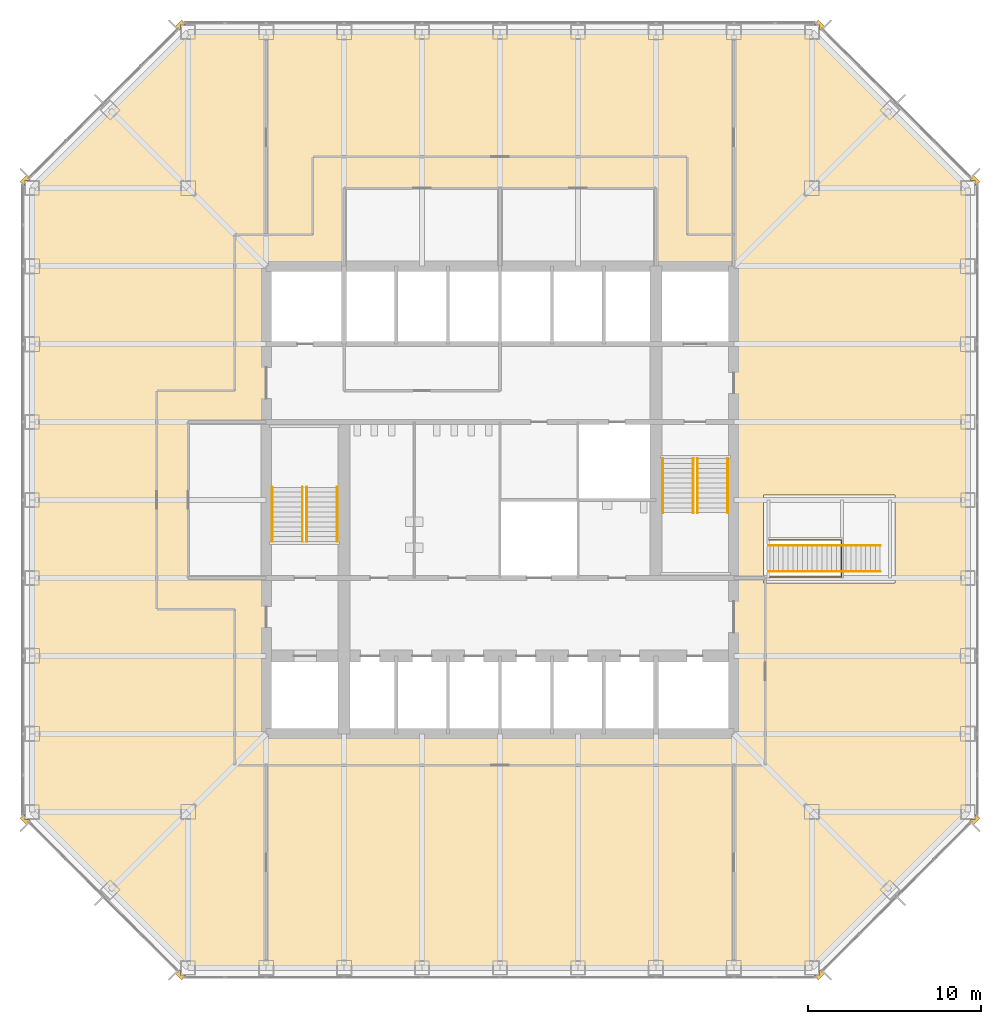
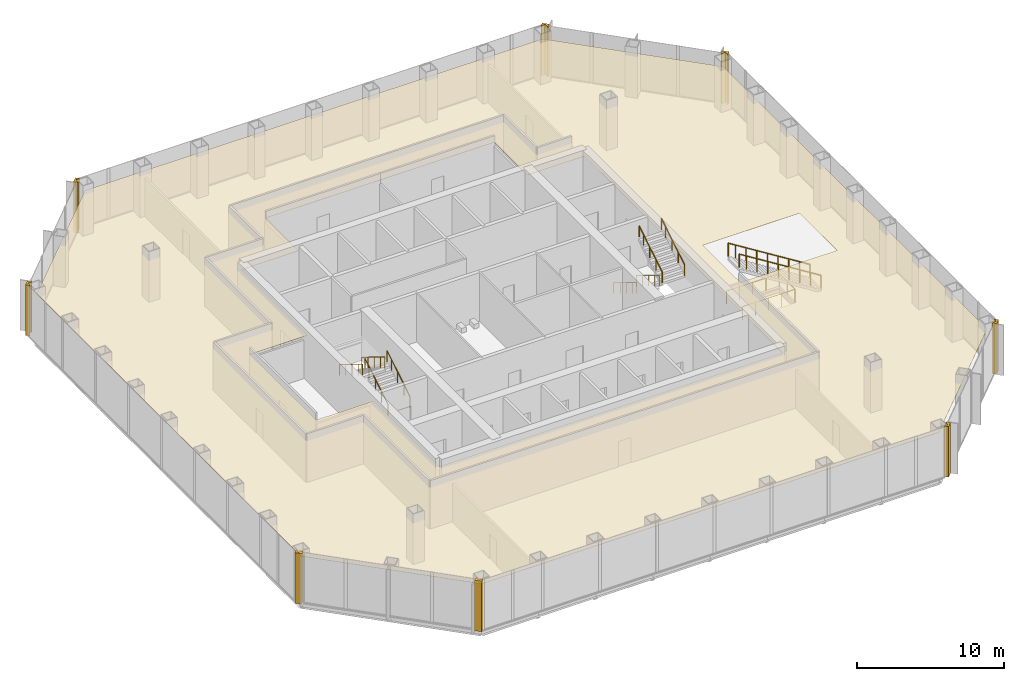
# One storey, part 11 of 12: 11 railings, 9 coverings.
"""IFC4 building model written with IfcOpenShell, lengths in metres."""

from ifc_helpers import new_model, si_unit, direction, frame, origin, origin_2d, place, context, subcontext, project, spatial, polyline, circle, outline, extrude, material, layer, layer_set, type_object, element, save


model = new_model("IFC4")

# Units and contexts
model_context = context("Model", 3, precision=1e-05, world=origin(), true_north=direction((0.0, 1.0)))
body_context = subcontext(model_context, "Body", "Model", "MODEL_VIEW")
ifc_project = project(units=[si_unit("LENGTHUNIT", "METRE"), si_unit("AREAUNIT", "SQUARE_METRE"), si_unit("VOLUMEUNIT", "CUBIC_METRE"), si_unit("PLANEANGLEUNIT", "RADIAN"), si_unit("MASSUNIT", "GRAM", prefix="KILO")], contexts=[model_context])

# Site, building, storey
site_placement = place(None, origin())
site = spatial("IfcSite", under=ifc_project, at=site_placement, CompositionType="ELEMENT")
building_placement = place(site_placement, origin())
building = spatial("IfcBuilding", under=site, at=building_placement, Name="Corais Broadcast Tower", CompositionType="ELEMENT")
storey_placement = place(building_placement, frame((0.0, 0.0, 33.199951171875)))
storey = spatial("IfcBuildingStorey", under=building, at=storey_placement, Name="L06", CompositionType="ELEMENT", Elevation=33.199951171875)

# Railings
ifc_material_1 = material(Name="Laminated glass and stainless steel guard", Category="steel")
railing_type_1 = type_object("IfcRailingType", Name="Glass guard 1100", PredefinedType="GUARDRAIL", material=ifc_material_1)
railing_placement = place(storey_placement, frame((42.550048828125, 22.550048828125, 0.0)))
element("IfcRailing", 1, at=railing_placement, inside=storey, type_object=railing_type_1, Name="GR1 guard L06", PredefinedType="GUARDRAIL", context=body_context, shape_type="SweptSolid", body=[
    extrude(circle(Radius=0.02392578125, at=origin_2d()), frame((0.0, 0.0, 1.076171875), z_axis=(1.0, 0.0, 0.0), x_axis=(0.0, 1.0, 0.0)), (0.0, 0.0, 1.0), 4.14990234375),
    extrude(circle(Radius=0.02392578125, at=origin_2d()), frame((4.14990234375, 0.0, 1.076171875), z_axis=(0.0, 1.0, 0.0), x_axis=(-1.0, 0.0, 0.0)), (0.0, 0.0, 1.0), 2.14990234375),
    extrude(circle(Radius=0.02392578125, at=origin_2d()), frame((4.14990234375, 2.14990234375, 1.076171875), z_axis=(-1.0, 0.0, 0.0), x_axis=(0.0, -1.0, 0.0)), (0.0, 0.0, 1.0), 4.14990234375),
    extrude(circle(Radius=0.02099609375, at=origin_2d()), origin(), (0.0, 0.0, 1.0), 1.052001953125),
    extrude(circle(Radius=0.02099609375, at=origin_2d()), frame((1.03759765625, 0.0, 0.0)), (0.0, 0.0, 1.0), 1.052001953125),
    extrude(circle(Radius=0.02099609375, at=origin_2d()), frame((2.074951171875, 0.0, 0.0)), (0.0, 0.0, 1.0), 1.052001953125),
    extrude(circle(Radius=0.02099609375, at=origin_2d()), frame((3.1123046875, 0.0, 0.0)), (0.0, 0.0, 1.0), 1.052001953125),
    extrude(circle(Radius=0.02099609375, at=origin_2d()), frame((4.14990234375, 0.0, 0.0)), (0.0, 0.0, 1.0), 1.052001953125),
    extrude(circle(Radius=0.02099609375, at=origin_2d()), frame((4.14990234375, 1.074951171875, 0.0)), (0.0, 0.0, 1.0), 1.052001953125),
    extrude(circle(Radius=0.02099609375, at=origin_2d()), frame((4.14990234375, 2.14990234375, 0.0)), (0.0, 0.0, 1.0), 1.052001953125),
    extrude(circle(Radius=0.02099609375, at=origin_2d()), frame((3.1123046875, 2.14990234375, 0.0)), (0.0, 0.0, 1.0), 1.052001953125),
    extrude(circle(Radius=0.02099609375, at=origin_2d()), frame((2.074951171875, 2.14990234375, 0.0)), (0.0, 0.0, 1.0), 1.052001953125),
    extrude(circle(Radius=0.02099609375, at=origin_2d()), frame((1.03759765625, 2.14990234375, 0.0)), (0.0, 0.0, 1.0), 1.052001953125),
    extrude(circle(Radius=0.02099609375, at=origin_2d()), frame((0.0, 2.14990234375, 0.0)), (0.0, 0.0, 1.0), 1.052001953125),
])
for number, where, name in (
    (2, (48.93994140625, 24.375, 0.175048828125), "GR1 L06"),
    (3, (48.93994140625, 22.875, 0.175048828125), "GR1 L06"),
):
    element("IfcRailing", number, at=place(storey_placement, frame(where)), inside=storey, type_object=railing_type_1, Name=name, PredefinedType="GUARDRAIL", context=body_context, shape_type="SweptSolid", body=[
        extrude(circle(Radius=0.02392578125, at=origin_2d()), frame((0.0, 0.0, 1.076171875), z_axis=(-0.848001916129, 0.0, 0.529993160562), x_axis=(0.0, -1.0, 0.0)), (0.0, 0.0, 1.0), 7.59423828125),
        extrude(circle(Radius=0.02099609375, at=origin_2d()), origin(), (0.0, 0.0, 1.0), 1.052001953125),
        extrude(circle(Radius=0.02099609375, at=origin_2d()), frame((-0.840087890625, 0.0, 0.52490234375)), (0.0, 0.0, 1.0), 1.052001953125),
        extrude(circle(Radius=0.02099609375, at=origin_2d()), frame((-1.679931640625, 0.0, 1.050048828125)), (0.0, 0.0, 1.0), 1.052001953125),
        extrude(circle(Radius=0.02099609375, at=origin_2d()), frame((-2.52001953125, 0.0, 1.574951171875)), (0.0, 0.0, 1.0), 1.052001953125),
        extrude(circle(Radius=0.02099609375, at=origin_2d()), frame((-3.35986328125, 0.0, 2.099853515625)), (0.0, 0.0, 1.0), 1.052001953125),
        extrude(circle(Radius=0.02099609375, at=origin_2d()), frame((-4.199951171875, 0.0, 2.625)), (0.0, 0.0, 1.0), 1.052001953125),
        extrude(circle(Radius=0.02099609375, at=origin_2d()), frame((-5.0400390625, 0.0, 3.14990234375)), (0.0, 0.0, 1.0), 1.052001953125),
        extrude(circle(Radius=0.02099609375, at=origin_2d()), frame((-5.8798828125, 0.0, 3.6748046875)), (0.0, 0.0, 1.0), 1.052001953125),
        extrude(circle(Radius=0.02099609375, at=origin_2d()), frame((-6.43994140625, 0.0, 4.02490234375)), (0.0, 0.0, 1.0), 1.052001953125),
    ])
ifc_material_2 = material(Name="Stainless steel handrail", Category="steel")
railing_type_2 = type_object("IfcRailingType", Name="Handrail 920", PredefinedType="HANDRAIL", material=ifc_material_2)
for number, where, name in (
    (4, (17.60009765625, 24.60009765625, 0.175048828125), "HR1 L06"),
    (5, (15.85009765625, 24.60009765625, 0.175048828125), "HR1 L06"),
):
    element("IfcRailing", number, at=place(storey_placement, frame(where)), inside=storey, type_object=railing_type_2, Name=name, PredefinedType="HANDRAIL", context=body_context, shape_type="SweptSolid", body=[
        extrude(circle(Radius=0.02392578125, at=origin_2d()), frame((0.0, 0.0, 0.89599609375), z_axis=(0.0, 0.852166034122, 0.523271488128), x_axis=(-1.0, 0.0, 0.0)), (0.0, 0.0, 1.0), 3.678955078125),
        extrude(circle(Radius=0.02099609375, at=origin_2d()), origin(), (0.0, 0.0, 1.0), 0.871826171875),
        extrude(circle(Radius=0.02099609375, at=origin_2d()), frame((0.0, 0.85498046875, 0.52490234375)), (0.0, 0.0, 1.0), 0.871826171875),
        extrude(circle(Radius=0.02099609375, at=origin_2d()), frame((0.0, 1.7099609375, 1.050048828125)), (0.0, 0.0, 1.0), 0.871826171875),
        extrude(circle(Radius=0.02099609375, at=origin_2d()), frame((0.0, 2.56494140625, 1.574951171875)), (0.0, 0.0, 1.0), 0.871826171875),
        extrude(circle(Radius=0.02099609375, at=origin_2d()), frame((0.0, 3.135009765625, 1.925048828125)), (0.0, 0.0, 1.0), 0.871826171875),
    ])
for number, where, name in (
    (6, (13.85009765625, 27.735107421875, 2.275146484375), "HR1 L06"),
    (7, (15.60009765625, 27.735107421875, 2.275146484375), "HR1 L06"),
):
    element("IfcRailing", number, at=place(storey_placement, frame(where)), inside=storey, type_object=railing_type_2, Name=name, PredefinedType="HANDRAIL", context=body_context, shape_type="SweptSolid", body=[
        extrude(circle(Radius=0.02392578125, at=origin_2d()), frame((0.0, 0.0, 0.89599609375), z_axis=(0.0, -0.852195625947, 0.523223293744), x_axis=(1.0, 0.0, 0.0)), (0.0, 0.0, 1.0), 3.6787109375),
        extrude(circle(Radius=0.02099609375, at=origin_2d()), origin(), (0.0, 0.0, 1.0), 0.871826171875),
        extrude(circle(Radius=0.02099609375, at=origin_2d()), frame((0.0, -0.85498046875, 0.52490234375)), (0.0, 0.0, 1.0), 0.871826171875),
        extrude(circle(Radius=0.02099609375, at=origin_2d()), frame((0.0, -1.7099609375, 1.0498046875)), (0.0, 0.0, 1.0), 0.871826171875),
        extrude(circle(Radius=0.02099609375, at=origin_2d()), frame((0.0, -2.56494140625, 1.574951171875)), (0.0, 0.0, 1.0), 0.871826171875),
        extrude(circle(Radius=0.02099609375, at=origin_2d()), frame((0.0, -3.135009765625, 1.9248046875)), (0.0, 0.0, 1.0), 0.871826171875),
    ])
for number, where, name in (
    (8, (36.39990234375, 29.39990234375, 0.175048828125), "HR1 L06"),
    (9, (38.14990234375, 29.39990234375, 0.175048828125), "HR1 L06"),
):
    element("IfcRailing", number, at=place(storey_placement, frame(where)), inside=storey, type_object=railing_type_2, Name=name, PredefinedType="HANDRAIL", context=body_context, shape_type="SweptSolid", body=[
        extrude(circle(Radius=0.02392578125, at=origin_2d()), frame((0.0, 0.0, 0.89599609375), z_axis=(0.0, -0.852166034122, 0.523271488128), x_axis=(1.0, 0.0, 0.0)), (0.0, 0.0, 1.0), 3.678955078125),
        extrude(circle(Radius=0.02099609375, at=origin_2d()), origin(), (0.0, 0.0, 1.0), 0.871826171875),
        extrude(circle(Radius=0.02099609375, at=origin_2d()), frame((0.0, -0.85498046875, 0.52490234375)), (0.0, 0.0, 1.0), 0.871826171875),
        extrude(circle(Radius=0.02099609375, at=origin_2d()), frame((0.0, -1.7099609375, 1.050048828125)), (0.0, 0.0, 1.0), 0.871826171875),
        extrude(circle(Radius=0.02099609375, at=origin_2d()), frame((0.0, -2.56494140625, 1.574951171875)), (0.0, 0.0, 1.0), 0.871826171875),
        extrude(circle(Radius=0.02099609375, at=origin_2d()), frame((0.0, -3.135009765625, 1.925048828125)), (0.0, 0.0, 1.0), 0.871826171875),
    ])
for number, where, name in (
    (10, (40.14990234375, 26.264892578125, 2.275146484375), "HR1 L06"),
    (11, (38.39990234375, 26.264892578125, 2.275146484375), "HR1 L06"),
):
    element("IfcRailing", number, at=place(storey_placement, frame(where)), inside=storey, type_object=railing_type_2, Name=name, PredefinedType="HANDRAIL", context=body_context, shape_type="SweptSolid", body=[
        extrude(circle(Radius=0.02392578125, at=origin_2d()), frame((0.0, 0.0, 0.89599609375), z_axis=(0.0, 0.852195625947, 0.523223293744), x_axis=(-1.0, 0.0, 0.0)), (0.0, 0.0, 1.0), 3.6787109375),
        extrude(circle(Radius=0.02099609375, at=origin_2d()), origin(), (0.0, 0.0, 1.0), 0.871826171875),
        extrude(circle(Radius=0.02099609375, at=origin_2d()), frame((0.0, 0.85498046875, 0.52490234375)), (0.0, 0.0, 1.0), 0.871826171875),
        extrude(circle(Radius=0.02099609375, at=origin_2d()), frame((0.0, 1.7099609375, 1.0498046875)), (0.0, 0.0, 1.0), 0.871826171875),
        extrude(circle(Radius=0.02099609375, at=origin_2d()), frame((0.0, 2.56494140625, 1.574951171875)), (0.0, 0.0, 1.0), 0.871826171875),
        extrude(circle(Radius=0.02099609375, at=origin_2d()), frame((0.0, 3.135009765625, 1.9248046875)), (0.0, 0.0, 1.0), 0.871826171875),
    ])

# Coverings
ifc_material_3 = material(Name="Granite stone cladding", Category="masonry")
ifc_layer_1 = layer(ifc_material_3, 0.324951171875)
ifc_layer_set_1 = layer_set([ifc_layer_1], Name="Granite stone cladding")
covering_type_1 = type_object("IfcCoveringType", Name="Stone corner pier cladding 500x325", PredefinedType="CLADDING", material=ifc_layer_set_1)
covering_1_placement = place(storey_placement, origin())
element("IfcCovering", 12, at=covering_1_placement, inside=storey, type_object=covering_type_1, Name="SP1 stone corner pier L06", PredefinedType="CLADDING", context=body_context, shape_type="SweptSolid", body=[
    extrude(outline(polyline([(8.860595703125, -0.461669921875), (8.84912109375, -0.449951171875), (8.550048828125, -0.449951171875), (8.550048828125, -0.15087890625), (8.507080078125, -0.108154296875), (8.277099609375, -0.337890625), (8.630859375, -0.69140625), (8.860595703125, -0.461669921875)])), origin(), (0.0, 0.0, 1.0), 4.199951171875),
])
covering_2_placement = place(storey_placement, origin())
element("IfcCovering", 13, at=covering_2_placement, inside=storey, type_object=covering_type_1, Name="SP1 stone corner pier L06", PredefinedType="CLADDING", context=body_context, shape_type="SweptSolid", body=[
    extrude(outline(polyline([(-0.449951171875, 8.84912109375), (-0.461669921875, 8.860595703125), (-0.69140625, 8.630859375), (-0.337890625, 8.277099609375), (-0.108154296875, 8.507080078125), (-0.15087890625, 8.550048828125), (-0.449951171875, 8.550048828125), (-0.449951171875, 8.84912109375)])), origin(), (0.0, 0.0, 1.0), 4.199951171875),
])
covering_3_placement = place(storey_placement, origin())
element("IfcCovering", 14, at=covering_3_placement, inside=storey, type_object=covering_type_1, Name="SP1 stone corner pier L06", PredefinedType="CLADDING", context=body_context, shape_type="SweptSolid", body=[
    extrude(outline(polyline([(-0.461669921875, 45.139404296875), (-0.449951171875, 45.15087890625), (-0.449951171875, 45.449951171875), (-0.15087890625, 45.449951171875), (-0.108154296875, 45.492919921875), (-0.337890625, 45.722900390625), (-0.69140625, 45.369140625), (-0.461669921875, 45.139404296875)])), origin(), (0.0, 0.0, 1.0), 4.199951171875),
])
covering_4_placement = place(storey_placement, origin())
element("IfcCovering", 15, at=covering_4_placement, inside=storey, type_object=covering_type_1, Name="SP1 stone corner pier L06", PredefinedType="CLADDING", context=body_context, shape_type="SweptSolid", body=[
    extrude(outline(polyline([(8.84912109375, 54.449951171875), (8.860595703125, 54.461669921875), (8.630859375, 54.69140625), (8.277099609375, 54.337890625), (8.507080078125, 54.108154296875), (8.550048828125, 54.15087890625), (8.550048828125, 54.449951171875), (8.84912109375, 54.449951171875)])), origin(), (0.0, 0.0, 1.0), 4.199951171875),
])
covering_5_placement = place(storey_placement, origin())
element("IfcCovering", 16, at=covering_5_placement, inside=storey, type_object=covering_type_1, Name="SP1 stone corner pier L06", PredefinedType="CLADDING", context=body_context, shape_type="SweptSolid", body=[
    extrude(outline(polyline([(45.139404296875, 54.461669921875), (45.15087890625, 54.449951171875), (45.449951171875, 54.449951171875), (45.449951171875, 54.15087890625), (45.492919921875, 54.108154296875), (45.722900390625, 54.337890625), (45.369140625, 54.69140625), (45.139404296875, 54.461669921875)])), origin(), (0.0, 0.0, 1.0), 4.199951171875),
])
covering_6_placement = place(storey_placement, origin())
element("IfcCovering", 17, at=covering_6_placement, inside=storey, type_object=covering_type_1, Name="SP1 stone corner pier L06", PredefinedType="CLADDING", context=body_context, shape_type="SweptSolid", body=[
    extrude(outline(polyline([(54.449951171875, 45.15087890625), (54.461669921875, 45.139404296875), (54.69140625, 45.369140625), (54.337890625, 45.722900390625), (54.108154296875, 45.492919921875), (54.15087890625, 45.449951171875), (54.449951171875, 45.449951171875), (54.449951171875, 45.15087890625)])), origin(), (0.0, 0.0, 1.0), 4.199951171875),
])
covering_7_placement = place(storey_placement, origin())
element("IfcCovering", 18, at=covering_7_placement, inside=storey, type_object=covering_type_1, Name="SP1 stone corner pier L06", PredefinedType="CLADDING", context=body_context, shape_type="SweptSolid", body=[
    extrude(outline(polyline([(54.461669921875, 8.860595703125), (54.449951171875, 8.84912109375), (54.449951171875, 8.550048828125), (54.15087890625, 8.550048828125), (54.108154296875, 8.507080078125), (54.337890625, 8.277099609375), (54.69140625, 8.630859375), (54.461669921875, 8.860595703125)])), origin(), (0.0, 0.0, 1.0), 4.199951171875),
])
covering_8_placement = place(storey_placement, origin())
element("IfcCovering", 19, at=covering_8_placement, inside=storey, type_object=covering_type_1, Name="SP1 stone corner pier L06", PredefinedType="CLADDING", context=body_context, shape_type="SweptSolid", body=[
    extrude(outline(polyline([(45.15087890625, -0.449951171875), (45.139404296875, -0.461669921875), (45.369140625, -0.69140625), (45.722900390625, -0.337890625), (45.492919921875, -0.108154296875), (45.449951171875, -0.15087890625), (45.449951171875, -0.449951171875), (45.15087890625, -0.449951171875)])), origin(), (0.0, 0.0, 1.0), 4.199951171875),
])
ifc_material_4 = material(Name="Mineral fibre ceiling tile", Category="mineral")
ifc_layer_2 = layer(ifc_material_4, 0.02001953125)
ifc_layer_set_2 = layer_set([ifc_layer_2], Name="Mineral fibre ceiling tile")
covering_type_2 = type_object("IfcCoveringType", Name="Suspended ceiling", PredefinedType="CEILING", material=ifc_layer_set_2)
covering_9_placement = place(storey_placement, frame((0.0, 0.0, 3.420166015625)))
element("IfcCovering", 20, at=covering_9_placement, inside=storey, type_object=covering_type_2, Name="CE1 ceiling L06", PredefinedType="CEILING", context=body_context, shape_type="SweptSolid", body=[
    extrude(outline(polyline([(0.0, 9.0), (0.0, 45.0), (9.0, 54.0), (45.0, 54.0), (54.0, 45.0), (54.0, 9.0), (45.0, 0.0), (9.0, 0.0), (0.0, 9.0)]), holes=[polyline([(36.0, 40.5), (36.0, 45.0), (18.0, 45.0), (18.0, 40.5), (13.5, 40.5), (13.5, 31.5), (9.0, 31.5), (9.0, 22.5), (13.5, 22.5), (13.5, 13.5), (40.5, 13.5), (40.5, 40.5), (36.0, 40.5)]), polyline([(49.800048828125, 27.300048828125), (42.199951171875, 27.300048828125), (42.199951171875, 22.199951171875), (49.800048828125, 22.199951171875), (49.800048828125, 27.300048828125)])]), origin(), (0.0, 0.0, 1.0), 0.019775390625),
])

save(model, "model.ifc")
